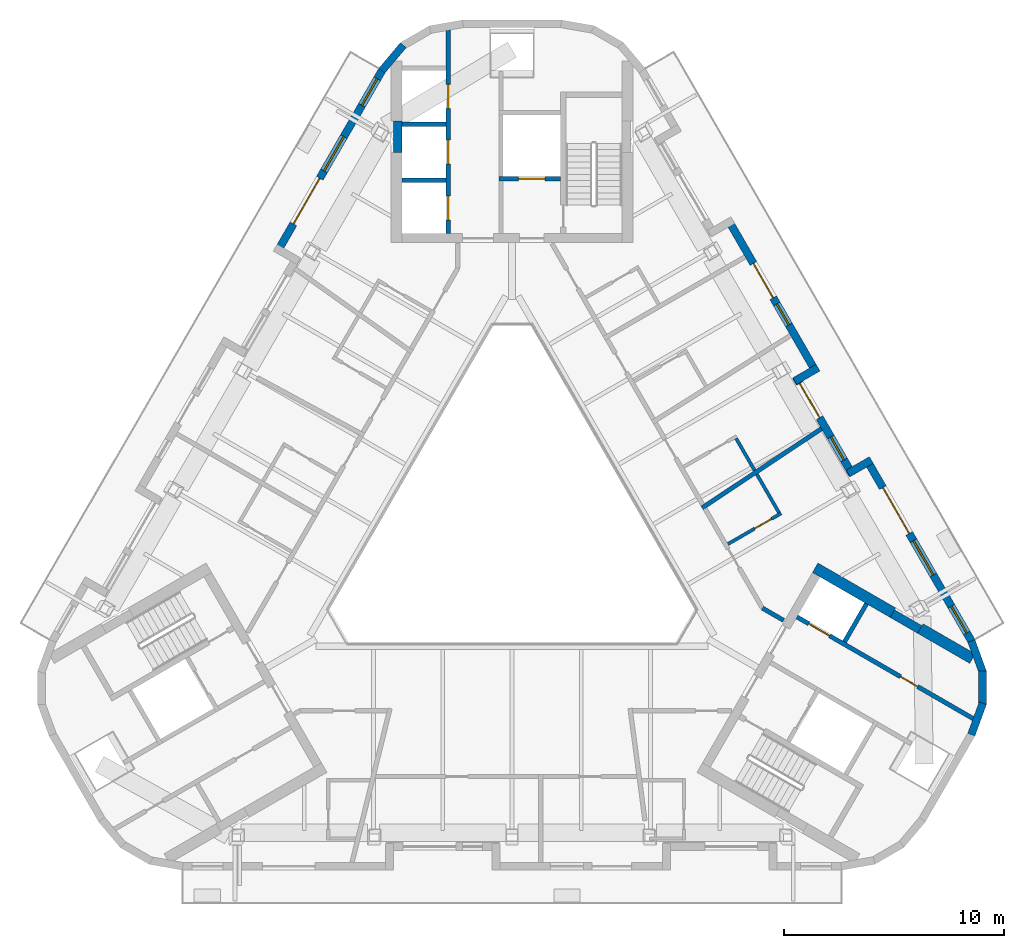
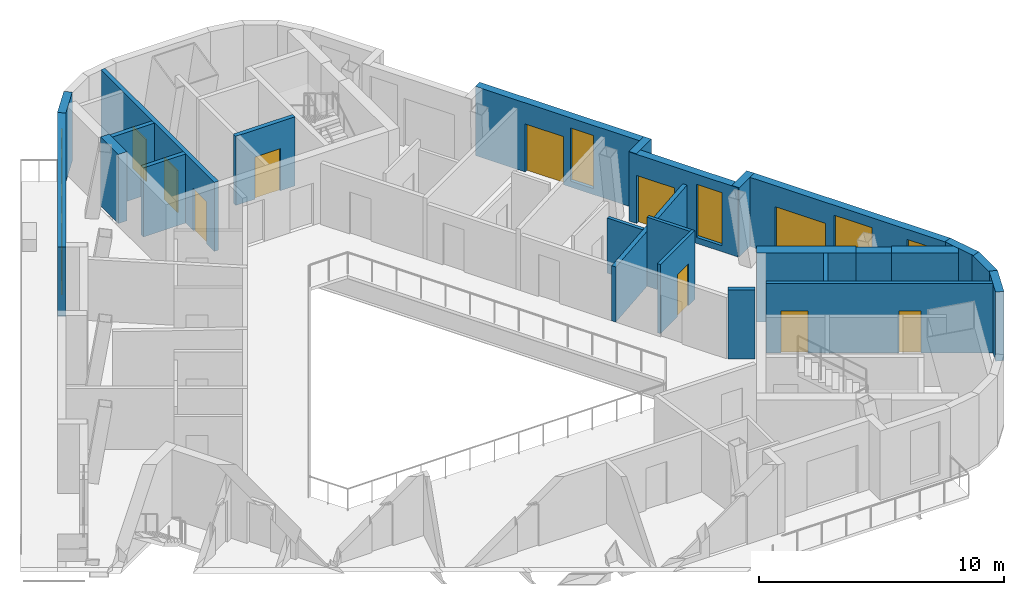
# One storey, part 6 of 11: 25 walls, 11 doors, 6 windows, 17 openings.
"""IFC4 building model written with IfcOpenShell, lengths in metres."""

from ifc_helpers import new_model, si_unit, direction, frame, frame_2d, origin, place, context, subcontext, project, spatial, rectangle, extrude, material, layer, layer_set, type_object, element, fill, save


model = new_model("IFC4")

# Units and contexts
model_context = context("Model", 3, precision=1e-05, world=origin(), true_north=direction((0.0, 1.0)))
body_context = subcontext(model_context, "Body", "Model", "MODEL_VIEW")
ifc_project = project(units=[si_unit("LENGTHUNIT", "METRE"), si_unit("AREAUNIT", "SQUARE_METRE"), si_unit("VOLUMEUNIT", "CUBIC_METRE"), si_unit("PLANEANGLEUNIT", "RADIAN"), si_unit("MASSUNIT", "GRAM", prefix="KILO")], contexts=[model_context])

# Site, building, storey
site_placement = place(None, origin())
site = spatial("IfcSite", under=ifc_project, at=site_placement, CompositionType="ELEMENT")
building_placement = place(site_placement, origin())
building = spatial("IfcBuilding", under=site, at=building_placement, Name="Apuvela Tower Hotel", CompositionType="ELEMENT")
storey_placement = place(building_placement, frame((0.0, 0.0, 328.10009765625)))
storey = spatial("IfcBuildingStorey", under=building, at=storey_placement, Name="L82", CompositionType="ELEMENT", Elevation=328.10009765625)

# Walls
ifc_material_1 = material(Name="Concrete C50/60", Category="concrete")
ifc_layer_1 = layer(ifc_material_1, 0.39990234375)
ifc_layer_set_1 = layer_set([ifc_layer_1], Name="COR-WALL-CORE-400")
wall_type_1 = type_object("IfcWallType", Name="COR-WALL-CORE-400", PredefinedType="SHEAR", material=ifc_layer_set_1)
for number, where, z_axis, x_axis, name in (
    (1, (-5.199951171875, 16.984619140625, 0.0), (0.0, 0.0, 1.0), (0.0, 1.0, 0.0), "Core wall N"),
    (2, (17.30908203125, -3.989013671875, 0.0), (0.0, 0.0, 1.0), (0.866092727722, -0.499883373386, 0.0), "Core wall SE"),
):
    element("IfcWall", number, at=place(storey_placement, frame(where, z_axis=z_axis, x_axis=x_axis)), inside=storey, type_object=wall_type_1, Name=name, PredefinedType="SHEAR", context=body_context, shape_type="SweptSolid", body=[
        extrude(rectangle(XDim=1.444580078125, YDim=0.39990234375, at=frame_2d((0.72216796875, 0.0))), origin(), (0.0, 0.0, 1.0), 3.449951171875),
    ])
ifc_layer_2 = layer(ifc_material_1, 0.5)
ifc_layer_set_2 = layer_set([ifc_layer_2], Name="COR-WALL-CORE-500")
wall_type_2 = type_object("IfcWallType", Name="COR-WALL-CORE-500", PredefinedType="SHEAR", material=ifc_layer_set_2)
wall_1_placement = place(storey_placement, frame((13.796630859375, -1.9033203125, 0.0), z_axis=(0.0, 0.0, 1.0), x_axis=(0.866020367552, -0.500008722908, 0.0)))
element("IfcWall", 3, at=wall_1_placement, inside=storey, type_object=wall_type_2, Name="Core wall SE", PredefinedType="SHEAR", context=body_context, shape_type="SweptSolid", body=[
    extrude(rectangle(XDim=4.0849609375, YDim=0.5, at=frame_2d((2.04248046875, 0.0))), origin(), (0.0, 0.0, 1.0), 3.449951171875),
])
wall_2_placement = place(storey_placement, frame((18.585205078125, -4.66796875, 0.0), z_axis=(0.0, 0.0, 1.0), x_axis=(0.866034122891, -0.49998489776, 0.0)))
element("IfcWall", 4, at=wall_2_placement, inside=storey, type_object=wall_type_2, Name="Core wall SE", PredefinedType="SHEAR", context=body_context, shape_type="SweptSolid", body=[
    extrude(rectangle(XDim=2.73779296875, YDim=0.5, at=frame_2d((1.368896484375, 0.0))), origin(), (0.0, 0.0, 1.0), 3.449951171875),
])

# Wall, opening, door
ifc_layer_3 = layer(ifc_material_1, 0.199951171875)
ifc_layer_set_3 = layer_set([ifc_layer_3], Name="COR-WALL-SHAFT-200")
wall_type_3 = type_object("IfcWallType", Name="COR-WALL-SHAFT-200", PredefinedType="SHEAR", material=ifc_layer_set_3)
wall_3_placement = place(storey_placement, frame((2.199951171875, 15.800048828125, 0.0), z_axis=(0.0, 0.0, 1.0), x_axis=(-1.0, 0.0, 0.0)))
wall_3 = element("IfcWall", 5, at=wall_3_placement, inside=storey, type_object=wall_type_3, Name="Shaft wall N", PredefinedType="SHEAR", context=body_context, shape_type="SweptSolid", body=[
    extrude(rectangle(XDim=2.800048828125, YDim=0.199951171875, at=frame_2d((1.39990234375, 0.0))), origin(), (0.0, 0.0, 1.0), 3.449951171875),
])
opening_1_placement = place(wall_3_placement, frame((0.699951171875, 0.0, 0.0)))
opening_1 = element("IfcOpeningElement", 6, at=opening_1_placement, cuts=wall_3, Name="Opening N-LD-FS1", PredefinedType="OPENING", context=body_context, shape_type="SweptSolid", body=[
    extrude(rectangle(XDim=1.199951171875, YDim=2.10009765625, at=frame_2d((0.60009765625, 1.050048828125))), frame((0.0, 0.10986328125, 0.0), z_axis=(0.0, -1.0, 0.0), x_axis=(1.0, 0.0, 0.0)), (0.0, 0.0, 1.0), 0.219970703125),
])
ifc_material_2 = material(Name="Stainless steel lift landing door", Category="steel")
door_type_1 = type_object("IfcDoorType", Name="COR-LD-1200", OperationType="DOUBLE_DOOR_SLIDING", PredefinedType="DOOR", material=ifc_material_2)
door_1_placement = place(opening_1_placement, origin())
door_1 = element("IfcDoor", 7, at=door_1_placement, inside=storey, type_object=door_type_1, Name="Lift landing door N-LD-FS1", OperationType="DOUBLE_DOOR_SLIDING", OverallHeight=2.10009765625, OverallWidth=1.199951171875, PredefinedType="DOOR", context=body_context, shape_type="SweptSolid", body=[
    extrude(rectangle(XDim=1.199951171875, YDim=2.10009765625, at=frame_2d((0.60009765625, 1.050048828125))), frame((0.0, 0.02490234375, 0.0), z_axis=(0.0, -1.0, 0.0), x_axis=(1.0, 0.0, 0.0)), (0.0, 0.0, 1.0), 0.050048828125),
])
fill(opening_1, door_1)

# Wall, openings, doors
wall_4_placement = place(storey_placement, frame((-2.89990234375, 13.300048828125, 0.0), z_axis=(0.0, 0.0, 1.0), x_axis=(0.0, 1.0, 0.0)))
wall_4 = element("IfcWall", 8, at=wall_4_placement, inside=storey, type_object=wall_type_3, Name="Shaft wall N", PredefinedType="SHEAR", context=body_context, shape_type="SweptSolid", body=[
    extrude(rectangle(XDim=9.272705078125, YDim=0.199951171875, at=frame_2d((4.63623046875, 0.0))), origin(), (0.0, 0.0, 1.0), 3.449951171875),
])
opening_2_placement = place(wall_4_placement, frame((0.6201171875, 0.0, 0.0)))
opening_2 = element("IfcOpeningElement", 9, at=opening_2_placement, cuts=wall_4, Name="Opening N-LD-HR1", PredefinedType="OPENING", context=body_context, shape_type="SweptSolid", body=[
    extrude(rectangle(XDim=1.10009765625, YDim=2.10009765625, at=frame_2d((0.550048828125, 1.050048828125))), frame((0.0, 0.10986328125, 0.0), z_axis=(0.0, -1.0, 0.0), x_axis=(1.0, 0.0, 0.0)), (0.0, 0.0, 1.0), 0.219970703125),
])
opening_3_placement = place(wall_4_placement, frame((3.159912109375, 0.0, 0.0)))
opening_3 = element("IfcOpeningElement", 10, at=opening_3_placement, cuts=wall_4, Name="Opening N-LD-HR2", PredefinedType="OPENING", context=body_context, shape_type="SweptSolid", body=[
    extrude(rectangle(XDim=1.10009765625, YDim=2.10009765625, at=frame_2d((0.550048828125, 1.050048828125))), frame((0.0, 0.10986328125, 0.0), z_axis=(0.0, -1.0, 0.0), x_axis=(1.0, 0.0, 0.0)), (0.0, 0.0, 1.0), 0.219970703125),
])
opening_4_placement = place(wall_4_placement, frame((5.699951171875, 0.0, 0.0)))
opening_4 = element("IfcOpeningElement", 11, at=opening_4_placement, cuts=wall_4, Name="Opening N-LD-HR4", PredefinedType="OPENING", context=body_context, shape_type="SweptSolid", body=[
    extrude(rectangle(XDim=1.10009765625, YDim=2.10009765625, at=frame_2d((0.550048828125, 1.050048828125))), frame((0.0, 0.10986328125, 0.0), z_axis=(0.0, -1.0, 0.0), x_axis=(1.0, 0.0, 0.0)), (0.0, 0.0, 1.0), 0.219970703125),
])
door_type_2 = type_object("IfcDoorType", Name="COR-LD-1100", OperationType="DOUBLE_DOOR_SLIDING", PredefinedType="DOOR", material=ifc_material_2)
door_2_placement = place(opening_2_placement, origin())
door_2 = element("IfcDoor", 12, at=door_2_placement, inside=storey, type_object=door_type_2, Name="Lift landing door N-LD-HR1", OperationType="DOUBLE_DOOR_SLIDING", OverallHeight=2.10009765625, OverallWidth=1.10009765625, PredefinedType="DOOR", context=body_context, shape_type="SweptSolid", body=[
    extrude(rectangle(XDim=1.10009765625, YDim=2.10009765625, at=frame_2d((0.550048828125, 1.050048828125))), frame((0.0, 0.02490234375, 0.0), z_axis=(0.0, -1.0, 0.0), x_axis=(1.0, 0.0, 0.0)), (0.0, 0.0, 1.0), 0.050048828125),
])
fill(opening_2, door_2)
door_3_placement = place(opening_3_placement, origin())
door_3 = element("IfcDoor", 13, at=door_3_placement, inside=storey, type_object=door_type_2, Name="Lift landing door N-LD-HR2", OperationType="DOUBLE_DOOR_SLIDING", OverallHeight=2.10009765625, OverallWidth=1.10009765625, PredefinedType="DOOR", context=body_context, shape_type="SweptSolid", body=[
    extrude(rectangle(XDim=1.10009765625, YDim=2.10009765625, at=frame_2d((0.550048828125, 1.050048828125))), frame((0.0, 0.02490234375, 0.0), z_axis=(0.0, -1.0, 0.0), x_axis=(1.0, 0.0, 0.0)), (0.0, 0.0, 1.0), 0.050048828125),
])
fill(opening_3, door_3)
door_4_placement = place(opening_4_placement, origin())
door_4 = element("IfcDoor", 14, at=door_4_placement, inside=storey, type_object=door_type_2, Name="Lift landing door N-LD-HR4", OperationType="DOUBLE_DOOR_SLIDING", OverallHeight=2.10009765625, OverallWidth=1.10009765625, PredefinedType="DOOR", context=body_context, shape_type="SweptSolid", body=[
    extrude(rectangle(XDim=1.10009765625, YDim=2.10009765625, at=frame_2d((0.550048828125, 1.050048828125))), frame((0.0, 0.02490234375, 0.0), z_axis=(0.0, -1.0, 0.0), x_axis=(1.0, 0.0, 0.0)), (0.0, 0.0, 1.0), 0.050048828125),
])
fill(opening_4, door_4)

# Walls
for number, where, z_axis, x_axis, name in (
    (15, (-3.0, 15.739990234375, 0.0), (0.0, 0.0, 1.0), (-1.0, 0.0, 0.0), "Shaft wall N"),
    (16, (-3.0, 18.280029296875, 0.0), (0.0, 0.0, 1.0), (-1.0, 0.0, 0.0), "Shaft wall N"),
):
    element("IfcWall", number, at=place(storey_placement, frame(where, z_axis=z_axis, x_axis=x_axis)), inside=storey, type_object=wall_type_3, Name=name, PredefinedType="SHEAR", context=body_context, shape_type="SweptSolid", body=[
        extrude(rectangle(XDim=2.0, YDim=0.199951171875, at=frame_2d((1.0, 0.0))), origin(), (0.0, 0.0, 1.0), 3.449951171875),
    ])

# Wall, openings, doors
wall_5_placement = place(storey_placement, frame((12.968017578125, -4.138427734375, 0.0), z_axis=(0.0, 0.0, 1.0), x_axis=(0.866022923061, -0.500004296715, 0.0)))
wall_5 = element("IfcWall", 17, at=wall_5_placement, inside=storey, type_object=wall_type_3, Name="Shaft wall SE", PredefinedType="SHEAR", context=body_context, shape_type="SweptSolid", body=[
    extrude(rectangle(XDim=9.27294921875, YDim=0.199951171875, at=frame_2d((4.636474609375, 0.0))), origin(), (0.0, 0.0, 1.0), 3.449951171875),
])
opening_5_placement = place(wall_5_placement, frame((0.6201171875, 0.0, 0.0)))
opening_5 = element("IfcOpeningElement", 18, at=opening_5_placement, cuts=wall_5, Name="Opening E-LD-HR3", PredefinedType="OPENING", context=body_context, shape_type="SweptSolid", body=[
    extrude(rectangle(XDim=1.10009765625, YDim=2.10009765625, at=frame_2d((0.550048828125, 1.050048828125))), frame((0.0, 0.10986328125, 0.0), z_axis=(0.0, -1.0, 0.0), x_axis=(1.0, 0.0, 0.0)), (0.0, 0.0, 1.0), 0.219970703125),
])
opening_6_placement = place(wall_5_placement, frame((5.438720703125, 0.0, 0.0)))
opening_6 = element("IfcOpeningElement", 19, at=opening_6_placement, cuts=wall_5, Name="Opening E-RE2", PredefinedType="OPENING", context=body_context, shape_type="SweptSolid", body=[
    extrude(rectangle(XDim=0.89990234375, YDim=2.10009765625, at=frame_2d((0.449951171875, 1.050048828125))), frame((0.0, 0.10986328125, 0.0), z_axis=(0.0, -1.0, 0.0), x_axis=(1.0, 0.0, 0.0)), (0.0, 0.0, 1.0), 0.219970703125),
])
ifc_material_3 = material(Name="Steel fire door, powder coated", Category="steel")
door_type_3 = type_object("IfcDoorType", Name="COR-DR-900", OperationType="NOTDEFINED", PredefinedType="DOOR", material=ifc_material_3)
door_5_placement = place(opening_6_placement, origin())
door_5 = element("IfcDoor", 20, at=door_5_placement, inside=storey, type_object=door_type_3, Name="Store door E-RE2", OperationType="SINGLE_SWING_LEFT", OverallHeight=2.10009765625, OverallWidth=0.89990234375, PredefinedType="DOOR", context=body_context, shape_type="SweptSolid", body=[
    extrude(rectangle(XDim=0.89990234375, YDim=2.10009765625, at=frame_2d((0.449951171875, 1.050048828125))), frame((0.0, 0.02490234375, 0.0), z_axis=(0.0, -1.0, 0.0), x_axis=(1.0, 0.0, 0.0)), (0.0, 0.0, 1.0), 0.050048828125),
])
fill(opening_6, door_5)
door_6_placement = place(opening_5_placement, origin())
door_6 = element("IfcDoor", 21, at=door_6_placement, inside=storey, type_object=door_type_2, Name="Lift landing door E-LD-HR3", OperationType="DOUBLE_DOOR_SLIDING", OverallHeight=2.10009765625, OverallWidth=1.10009765625, PredefinedType="DOOR", context=body_context, shape_type="SweptSolid", body=[
    extrude(rectangle(XDim=1.10009765625, YDim=2.10009765625, at=frame_2d((0.550048828125, 1.050048828125))), frame((0.0, 0.02490234375, 0.0), z_axis=(0.0, -1.0, 0.0), x_axis=(1.0, 0.0, 0.0)), (0.0, 0.0, 1.0), 0.050048828125),
])
fill(opening_5, door_6)

# Wall
wall_6_placement = place(storey_placement, frame((15.131103515625, -5.27197265625, 0.0), z_axis=(0.0, 0.0, 1.0), x_axis=(0.499972520799, 0.866041268327, 0.0)))
element("IfcWall", 22, at=wall_6_placement, inside=storey, type_object=wall_type_3, Name="Shaft wall SE", PredefinedType="SHEAR", context=body_context, shape_type="SweptSolid", body=[
    extrude(rectangle(XDim=2.0, YDim=0.199951171875, at=frame_2d((1.0, 0.0))), origin(), (0.0, 0.0, 1.0), 3.449951171875),
])

# Wall, openings, door, windows
ifc_material_4 = material(Name="Concrete C40/50, dark pigmented precast panel", Category="concrete")
ifc_layer_4 = layer(ifc_material_4, 0.35009765625)
ifc_layer_set_4 = layer_set([ifc_layer_4], Name="ENV-WALL-350")
wall_type_4 = type_object("IfcWallType", Name="ENV-WALL-350", PredefinedType="SOLIDWALL", material=ifc_layer_set_4)
wall_7_placement = place(storey_placement, frame((-5.9052734375, 20.742431640625, 0.0), z_axis=(0.0, 0.0, 1.0), x_axis=(-0.500003254449, -0.866023524819, 0.0)))
wall_7 = element("IfcWall", 23, at=wall_7_placement, inside=storey, type_object=wall_type_4, Name="External wall L82-01", PredefinedType="SOLIDWALL", context=body_context, shape_type="SweptSolid", body=[
    extrude(rectangle(XDim=9.6083984375, YDim=0.35009765625, at=frame_2d((4.80419921875, 0.0))), origin(), (0.0, 0.0, 1.0), 3.449951171875),
])
opening_7_placement = place(wall_7_placement, frame((0.449951171875, 0.0, 0.300048828125)))
opening_7 = element("IfcOpeningElement", 24, at=opening_7_placement, cuts=wall_7, Name="Opening WN14", PredefinedType="OPENING", context=body_context, shape_type="SweptSolid", body=[
    extrude(rectangle(XDim=1.39990234375, YDim=2.64990234375, at=frame_2d((0.699951171875, 1.324951171875))), frame((0.0, 0.18505859375, 0.0), z_axis=(0.0, -1.0, 0.0), x_axis=(1.0, 0.0, 0.0)), (0.0, 0.0, 1.0), 0.3701171875),
])
opening_8_placement = place(wall_7_placement, frame((5.6796875, 0.0, 0.0)))
opening_8 = element("IfcOpeningElement", 25, at=opening_8_placement, cuts=wall_7, Name="Opening BD24", PredefinedType="OPENING", context=body_context, shape_type="SweptSolid", body=[
    extrude(rectangle(XDim=2.39990234375, YDim=2.39990234375, at=frame_2d((1.199951171875, 1.199951171875))), frame((0.0, 0.18505859375, 0.0), z_axis=(0.0, -1.0, 0.0), x_axis=(1.0, 0.0, 0.0)), (0.0, 0.0, 1.0), 0.3701171875),
])
opening_9_placement = place(wall_7_placement, frame((3.492431640625, 0.0, 0.300048828125)))
opening_9 = element("IfcOpeningElement", 26, at=opening_9_placement, cuts=wall_7, Name="Opening WN18", PredefinedType="OPENING", context=body_context, shape_type="SweptSolid", body=[
    extrude(rectangle(XDim=1.800048828125, YDim=2.64990234375, at=frame_2d((0.89990234375, 1.324951171875))), frame((0.0, 0.18505859375, 0.0), z_axis=(0.0, -1.0, 0.0), x_axis=(1.0, 0.0, 0.0)), (0.0, 0.0, 1.0), 0.3701171875),
])
ifc_material_5 = material(Name="Aluminium 6063-T6, dark bronze anodised frame with dark tinted laminated glass", Category="aluminium")
door_type_4 = type_object("IfcDoorType", Name="ENV-DOOR-BALCONY-2400x2400", OperationType="SLIDING_TO_LEFT", PredefinedType="DOOR", material=ifc_material_5)
door_7_placement = place(opening_8_placement, frame((2.39990234375, 0.0, 0.0), z_axis=(0.0, 0.0, 1.0), x_axis=(-1.0, 0.0, 0.0)))
door_7 = element("IfcDoor", 27, at=door_7_placement, inside=storey, type_object=door_type_4, Name="Balcony door BD24", OperationType="SLIDING_TO_LEFT", OverallHeight=2.39990234375, OverallWidth=2.39990234375, PredefinedType="DOOR", context=body_context, shape_type="SweptSolid", body=[
    extrude(rectangle(XDim=2.39990234375, YDim=2.39990234375, at=frame_2d((1.199951171875, 1.199951171875))), frame((0.0, 0.02490234375, 0.0), z_axis=(0.0, -1.0, 0.0), x_axis=(1.0, 0.0, 0.0)), (0.0, 0.0, 1.0), 0.050048828125),
])
fill(opening_8, door_7)
ifc_material_6 = material(Name="Glass, dark tinted laminated insulated glazing unit", Category="glass")
window_type_1 = type_object("IfcWindowType", Name="ENV-WIN-1400x2650", PartitioningType="SINGLE_PANEL", PredefinedType="WINDOW", material=ifc_material_6)
window_1_placement = place(opening_7_placement, origin())
window_1 = element("IfcWindow", 28, at=window_1_placement, inside=storey, type_object=window_type_1, Name="Window WN14", OverallHeight=2.64990234375, OverallWidth=1.39990234375, PartitioningType="SINGLE_PANEL", PredefinedType="WINDOW", context=body_context, shape_type="SweptSolid", body=[
    extrude(rectangle(XDim=1.39990234375, YDim=2.64990234375, at=frame_2d((0.699951171875, 1.324951171875))), frame((0.0, 0.030029296875, 0.0), z_axis=(0.0, -1.0, 0.0), x_axis=(1.0, 0.0, 0.0)), (0.0, 0.0, 1.0), 0.06005859375),
])
fill(opening_7, window_1)
window_type_2 = type_object("IfcWindowType", Name="ENV-WIN-1800x2650", PartitioningType="SINGLE_PANEL", PredefinedType="WINDOW", material=ifc_material_6)
window_2_placement = place(opening_9_placement, origin())
window_2 = element("IfcWindow", 29, at=window_2_placement, inside=storey, type_object=window_type_2, Name="Window WN18", OverallHeight=2.64990234375, OverallWidth=1.800048828125, PartitioningType="SINGLE_PANEL", PredefinedType="WINDOW", context=body_context, shape_type="SweptSolid", body=[
    extrude(rectangle(XDim=1.800048828125, YDim=2.64990234375, at=frame_2d((0.89990234375, 1.324951171875))), frame((0.0, 0.030029296875, 0.0), z_axis=(0.0, -1.0, 0.0), x_axis=(1.0, 0.0, 0.0)), (0.0, 0.0, 1.0), 0.06005859375),
])
fill(opening_9, window_2)

# Walls
for number, where, z_axis, x_axis, name in (
    (30, (20.9033203125, -9.49755859375, 0.0), (0.0, 0.0, 1.0), (0.342013156287, 0.939695163831, 0.0), "External wall L82-30"),
    (31, (21.413818359375, -8.12548828125, 0.0), (0.0, 0.0, 1.0), (0.0, 1.0, 0.0), "External wall L82-31"),
    (32, (21.424560546875, -6.66162109375, 0.0), (0.0, 0.0, 1.0), (-0.342013156287, 0.939695163831, 0.0), "External wall L82-32"),
):
    element("IfcWall", number, at=place(storey_placement, frame(where, z_axis=z_axis, x_axis=x_axis)), inside=storey, type_object=wall_type_4, Name=name, PredefinedType="SOLIDWALL", context=body_context, shape_type="SweptSolid", body=[
        extrude(rectangle(XDim=1.52392578125, YDim=0.35009765625, at=frame_2d((0.761962890625, 0.0))), origin(), (0.0, 0.0, 1.0), 3.449951171875),
    ])

# Wall, openings, door, windows
wall_8_placement = place(storey_placement, frame((20.916259765625, -5.257080078125, 0.0), z_axis=(0.0, 0.0, 1.0), x_axis=(-0.500022310942, 0.866012522173, 0.0)))
wall_8 = element("IfcWall", 33, at=wall_8_placement, inside=storey, type_object=wall_type_4, Name="External wall L82-33", PredefinedType="SOLIDWALL", context=body_context, shape_type="SweptSolid", body=[
    extrude(rectangle(XDim=9.6083984375, YDim=0.35009765625, at=frame_2d((4.80419921875, 0.0))), origin(), (0.0, 0.0, 1.0), 3.449951171875),
])
opening_10_placement = place(wall_8_placement, frame((0.449951171875, 0.0, 0.300048828125)))
opening_10 = element("IfcOpeningElement", 34, at=opening_10_placement, cuts=wall_8, Name="Opening WN14", PredefinedType="OPENING", context=body_context, shape_type="SweptSolid", body=[
    extrude(rectangle(XDim=1.39990234375, YDim=2.64990234375, at=frame_2d((0.699951171875, 1.324951171875))), frame((0.0, 0.18505859375, 0.0), z_axis=(0.0, -1.0, 0.0), x_axis=(1.0, 0.0, 0.0)), (0.0, 0.0, 1.0), 0.3701171875),
])
opening_11_placement = place(wall_8_placement, frame((5.679931640625, 0.0, 0.0)))
opening_11 = element("IfcOpeningElement", 35, at=opening_11_placement, cuts=wall_8, Name="Opening BD24", PredefinedType="OPENING", context=body_context, shape_type="SweptSolid", body=[
    extrude(rectangle(XDim=2.39990234375, YDim=2.39990234375, at=frame_2d((1.199951171875, 1.199951171875))), frame((0.0, 0.18505859375, 0.0), z_axis=(0.0, -1.0, 0.0), x_axis=(1.0, 0.0, 0.0)), (0.0, 0.0, 1.0), 0.3701171875),
])
opening_12_placement = place(wall_8_placement, frame((3.492431640625, 0.0, 0.300048828125)))
opening_12 = element("IfcOpeningElement", 36, at=opening_12_placement, cuts=wall_8, Name="Opening WN18", PredefinedType="OPENING", context=body_context, shape_type="SweptSolid", body=[
    extrude(rectangle(XDim=1.800048828125, YDim=2.64990234375, at=frame_2d((0.89990234375, 1.324951171875))), frame((0.0, 0.18505859375, 0.0), z_axis=(0.0, -1.0, 0.0), x_axis=(1.0, 0.0, 0.0)), (0.0, 0.0, 1.0), 0.3701171875),
])
door_8_placement = place(opening_11_placement, frame((2.39990234375, 0.0, 0.0), z_axis=(0.0, 0.0, 1.0), x_axis=(-1.0, 0.0, 0.0)))
door_8 = element("IfcDoor", 37, at=door_8_placement, inside=storey, type_object=door_type_4, Name="Balcony door BD24", OperationType="SLIDING_TO_LEFT", OverallHeight=2.39990234375, OverallWidth=2.39990234375, PredefinedType="DOOR", context=body_context, shape_type="SweptSolid", body=[
    extrude(rectangle(XDim=2.39990234375, YDim=2.39990234375, at=frame_2d((1.199951171875, 1.199951171875))), frame((0.0, 0.02490234375, 0.0), z_axis=(0.0, -1.0, 0.0), x_axis=(1.0, 0.0, 0.0)), (0.0, 0.0, 1.0), 0.050048828125),
])
fill(opening_11, door_8)
window_3_placement = place(opening_10_placement, origin())
window_3 = element("IfcWindow", 38, at=window_3_placement, inside=storey, type_object=window_type_1, Name="Window WN14", OverallHeight=2.64990234375, OverallWidth=1.39990234375, PartitioningType="SINGLE_PANEL", PredefinedType="WINDOW", context=body_context, shape_type="SweptSolid", body=[
    extrude(rectangle(XDim=1.39990234375, YDim=2.64990234375, at=frame_2d((0.699951171875, 1.324951171875))), frame((0.0, 0.030029296875, 0.0), z_axis=(0.0, -1.0, 0.0), x_axis=(1.0, 0.0, 0.0)), (0.0, 0.0, 1.0), 0.06005859375),
])
fill(opening_10, window_3)
window_4_placement = place(opening_12_placement, origin())
window_4 = element("IfcWindow", 39, at=window_4_placement, inside=storey, type_object=window_type_2, Name="Window WN18", OverallHeight=2.64990234375, OverallWidth=1.800048828125, PartitioningType="SINGLE_PANEL", PredefinedType="WINDOW", context=body_context, shape_type="SweptSolid", body=[
    extrude(rectangle(XDim=1.800048828125, YDim=2.64990234375, at=frame_2d((0.89990234375, 1.324951171875))), frame((0.0, 0.030029296875, 0.0), z_axis=(0.0, -1.0, 0.0), x_axis=(1.0, 0.0, 0.0)), (0.0, 0.0, 1.0), 0.06005859375),
])
fill(opening_12, window_4)

# Wall
wall_9_placement = place(storey_placement, frame((16.35107421875, 3.0, 0.0), z_axis=(0.0, 0.0, 1.0), x_axis=(-0.866005645448, -0.500034220881, 0.0)))
element("IfcWall", 40, at=wall_9_placement, inside=storey, type_object=wall_type_4, Name="External wall L82-34", PredefinedType="SOLIDWALL", context=body_context, shape_type="SweptSolid", body=[
    extrude(rectangle(XDim=1.22021484375, YDim=0.35009765625, at=frame_2d((0.610107421875, 0.0))), origin(), (0.0, 0.0, 1.0), 3.449951171875),
])

# Wall, openings, door, window
wall_10_placement = place(storey_placement, frame((15.492431640625, 2.3369140625, 0.0), z_axis=(0.0, 0.0, 1.0), x_axis=(-0.499999159329, 0.866025889145, 0.0)))
wall_10 = element("IfcWall", 41, at=wall_10_placement, inside=storey, type_object=wall_type_4, Name="External wall L82-35", PredefinedType="SOLIDWALL", context=body_context, shape_type="SweptSolid", body=[
    extrude(rectangle(XDim=5.142578125, YDim=0.35009765625, at=frame_2d((2.5712890625, 0.0))), origin(), (0.0, 0.0, 1.0), 3.449951171875),
])
opening_13_placement = place(wall_10_placement, frame((0.77001953125, 0.0, 0.300048828125)))
opening_13 = element("IfcOpeningElement", 42, at=opening_13_placement, cuts=wall_10, Name="Opening WN12", PredefinedType="OPENING", context=body_context, shape_type="SweptSolid", body=[
    extrude(rectangle(XDim=1.199951171875, YDim=2.64990234375, at=frame_2d((0.60009765625, 1.324951171875))), frame((0.0, 0.18505859375, 0.0), z_axis=(0.0, -1.0, 0.0), x_axis=(1.0, 0.0, 0.0)), (0.0, 0.0, 1.0), 0.3701171875),
])
opening_14_placement = place(wall_10_placement, frame((2.993408203125, 0.0, 0.0)))
opening_14 = element("IfcOpeningElement", 43, at=opening_14_placement, cuts=wall_10, Name="Opening BD18", PredefinedType="OPENING", context=body_context, shape_type="SweptSolid", body=[
    extrude(rectangle(XDim=1.800048828125, YDim=2.39990234375, at=frame_2d((0.89990234375, 1.199951171875))), frame((0.0, 0.18505859375, 0.0), z_axis=(0.0, -1.0, 0.0), x_axis=(1.0, 0.0, 0.0)), (0.0, 0.0, 1.0), 0.3701171875),
])
door_type_5 = type_object("IfcDoorType", Name="ENV-DOOR-BALCONY-1800x2400", OperationType="SLIDING_TO_LEFT", PredefinedType="DOOR", material=ifc_material_5)
door_9_placement = place(opening_14_placement, frame((1.800048828125, 0.0, 0.0), z_axis=(0.0, 0.0, 1.0), x_axis=(-1.0, 0.0, 0.0)))
door_9 = element("IfcDoor", 44, at=door_9_placement, inside=storey, type_object=door_type_5, Name="Balcony door BD18", OperationType="SLIDING_TO_LEFT", OverallHeight=2.39990234375, OverallWidth=1.800048828125, PredefinedType="DOOR", context=body_context, shape_type="SweptSolid", body=[
    extrude(rectangle(XDim=1.800048828125, YDim=2.39990234375, at=frame_2d((0.89990234375, 1.199951171875))), frame((0.0, 0.02490234375, 0.0), z_axis=(0.0, -1.0, 0.0), x_axis=(1.0, 0.0, 0.0)), (0.0, 0.0, 1.0), 0.050048828125),
])
fill(opening_14, door_9)
window_type_3 = type_object("IfcWindowType", Name="ENV-WIN-1200x2650", PartitioningType="SINGLE_PANEL", PredefinedType="WINDOW", material=ifc_material_6)
window_5_placement = place(opening_13_placement, origin())
window_5 = element("IfcWindow", 45, at=window_5_placement, inside=storey, type_object=window_type_3, Name="Window WN12", OverallHeight=2.64990234375, OverallWidth=1.199951171875, PartitioningType="SINGLE_PANEL", PredefinedType="WINDOW", context=body_context, shape_type="SweptSolid", body=[
    extrude(rectangle(XDim=1.199951171875, YDim=2.64990234375, at=frame_2d((0.60009765625, 1.324951171875))), frame((0.0, 0.030029296875, 0.0), z_axis=(0.0, -1.0, 0.0), x_axis=(1.0, 0.0, 0.0)), (0.0, 0.0, 1.0), 0.06005859375),
])
fill(opening_13, window_5)

# Wall
wall_11_placement = place(storey_placement, frame((12.8681640625, 6.59228515625, 0.0), z_axis=(0.0, 0.0, 1.0), x_axis=(0.866005645448, 0.500034220881, 0.0)))
element("IfcWall", 46, at=wall_11_placement, inside=storey, type_object=wall_type_4, Name="External wall L82-36", PredefinedType="SOLIDWALL", context=body_context, shape_type="SweptSolid", body=[
    extrude(rectangle(XDim=1.22021484375, YDim=0.35009765625, at=frame_2d((0.610107421875, 0.0))), origin(), (0.0, 0.0, 1.0), 3.449951171875),
])

# Wall, openings, door, window
wall_12_placement = place(storey_placement, frame((13.860595703125, 6.96337890625, 0.0), z_axis=(0.0, 0.0, 1.0), x_axis=(-0.499985896038, 0.866033546558, 0.0)))
wall_12 = element("IfcWall", 47, at=wall_12_placement, inside=storey, type_object=wall_type_4, Name="External wall L82-37", PredefinedType="SOLIDWALL", context=body_context, shape_type="SweptSolid", body=[
    extrude(rectangle(XDim=8.102294921875, YDim=0.35009765625, at=frame_2d((4.05126953125, 0.0))), origin(), (0.0, 0.0, 1.0), 3.449951171875),
])
opening_15_placement = place(wall_12_placement, frame((3.94970703125, 0.0, 0.0)))
opening_15 = element("IfcOpeningElement", 48, at=opening_15_placement, cuts=wall_12, Name="Opening BD18", PredefinedType="OPENING", context=body_context, shape_type="SweptSolid", body=[
    extrude(rectangle(XDim=1.800048828125, YDim=2.39990234375, at=frame_2d((0.89990234375, 1.199951171875))), frame((0.0, 0.18505859375, 0.0), z_axis=(0.0, -1.0, 0.0), x_axis=(1.0, 0.0, 0.0)), (0.0, 0.0, 1.0), 0.3701171875),
])
opening_16_placement = place(wall_12_placement, frame((2.51953125, 0.0, 0.300048828125)))
opening_16 = element("IfcOpeningElement", 49, at=opening_16_placement, cuts=wall_12, Name="Opening WN11", PredefinedType="OPENING", context=body_context, shape_type="SweptSolid", body=[
    extrude(rectangle(XDim=1.10009765625, YDim=2.64990234375, at=frame_2d((0.550048828125, 1.324951171875))), frame((0.0, 0.18505859375, 0.0), z_axis=(0.0, -1.0, 0.0), x_axis=(1.0, 0.0, 0.0)), (0.0, 0.0, 1.0), 0.3701171875),
])
door_10_placement = place(opening_15_placement, frame((1.800048828125, 0.0, 0.0), z_axis=(0.0, 0.0, 1.0), x_axis=(-1.0, 0.0, 0.0)))
door_10 = element("IfcDoor", 50, at=door_10_placement, inside=storey, type_object=door_type_5, Name="Balcony door BD18", OperationType="SLIDING_TO_LEFT", OverallHeight=2.39990234375, OverallWidth=1.800048828125, PredefinedType="DOOR", context=body_context, shape_type="SweptSolid", body=[
    extrude(rectangle(XDim=1.800048828125, YDim=2.39990234375, at=frame_2d((0.89990234375, 1.199951171875))), frame((0.0, 0.02490234375, 0.0), z_axis=(0.0, -1.0, 0.0), x_axis=(1.0, 0.0, 0.0)), (0.0, 0.0, 1.0), 0.050048828125),
])
fill(opening_15, door_10)
window_type_4 = type_object("IfcWindowType", Name="ENV-WIN-1100x2650", PartitioningType="SINGLE_PANEL", PredefinedType="WINDOW", material=ifc_material_6)
window_6_placement = place(opening_16_placement, origin())
window_6 = element("IfcWindow", 51, at=window_6_placement, inside=storey, type_object=window_type_4, Name="Window WN11", OverallHeight=2.64990234375, OverallWidth=1.10009765625, PartitioningType="SINGLE_PANEL", PredefinedType="WINDOW", context=body_context, shape_type="SweptSolid", body=[
    extrude(rectangle(XDim=1.10009765625, YDim=2.64990234375, at=frame_2d((0.550048828125, 1.324951171875))), frame((0.0, 0.030029296875, 0.0), z_axis=(0.0, -1.0, 0.0), x_axis=(1.0, 0.0, 0.0)), (0.0, 0.0, 1.0), 0.06005859375),
])
fill(opening_16, window_6)

# Walls
wall_13_placement = place(storey_placement, frame((-4.943359375, 21.884765625, 0.0), z_axis=(0.0, 0.0, 1.0), x_axis=(-0.642812493629, -0.766023562323, 0.0)))
element("IfcWall", 52, at=wall_13_placement, inside=storey, type_object=wall_type_4, Name="External wall L82-48", PredefinedType="SOLIDWALL", context=body_context, shape_type="SweptSolid", body=[
    extrude(rectangle(XDim=1.523681640625, YDim=0.35009765625, at=frame_2d((0.76171875, 0.0))), origin(), (0.0, 0.0, 1.0), 3.449951171875),
])
ifc_material_7 = material(Name="Gypsum board partition on twin steel stud", Category="steel")
ifc_layer_5 = layer(ifc_material_7, 0.199951171875)
ifc_layer_set_5 = layer_set([ifc_layer_5], Name="GST-PW1")
wall_type_5 = type_object("IfcWallType", Name="GST-PW1", PredefinedType="PARTITIONING", material=ifc_layer_set_5)
wall_14_placement = place(storey_placement, frame((14.08349609375, 4.427490234375, 0.0), z_axis=(0.0, 0.0, 1.0), x_axis=(-0.833314888817, -0.55279860354, 0.0)))
element("IfcWall", 53, at=wall_14_placement, inside=storey, type_object=wall_type_5, Name="L82 partition 04", PredefinedType="PARTITIONING", context=body_context, shape_type="SweptSolid", body=[
    extrude(rectangle(XDim=6.523193359375, YDim=0.199951171875, at=frame_2d((3.26171875, 0.0))), origin(), (0.0, 0.0, 1.0), 2.75),
])
ifc_material_8 = material(Name="Gypsum board corridor wall on twin steel stud, acoustic", Category="steel")
ifc_layer_6 = layer(ifc_material_8, 0.199951171875)
ifc_layer_set_6 = layer_set([ifc_layer_6], Name="GST-PW2")
wall_type_6 = type_object("IfcWallType", Name="GST-PW2", PredefinedType="PARTITIONING", material=ifc_layer_set_6)
wall_15_placement = place(storey_placement, frame((11.396484375, -3.7392578125, 0.0), z_axis=(0.0, 0.0, 1.0), x_axis=(0.866002566612, -0.500039553057, 0.0)))
element("IfcWall", 54, at=wall_15_placement, inside=storey, type_object=wall_type_6, Name="L82 partition 22", PredefinedType="PARTITIONING", context=body_context, shape_type="SweptSolid", body=[
    extrude(rectangle(XDim=1.11083984375, YDim=0.199951171875, at=frame_2d((0.555419921875, 0.0))), origin(), (0.0, 0.0, 1.0), 3.449951171875),
])

# Wall, opening, door
ifc_material_9 = material(Name="Moisture-resistant gypsum board wet wall on steel stud", Category="steel")
ifc_layer_7 = layer(ifc_material_9, 0.14990234375)
ifc_layer_set_7 = layer_set([ifc_layer_7], Name="GST-PW3")
wall_type_7 = type_object("IfcWallType", Name="GST-PW3", PredefinedType="PARTITIONING", material=ifc_layer_set_7)
wall_16_placement = place(storey_placement, frame((9.827392578125, -0.821533203125, 0.0), z_axis=(0.0, 0.0, 1.0), x_axis=(0.866034573852, 0.49998411664, 0.0)))
wall_16 = element("IfcWall", 55, at=wall_16_placement, inside=storey, type_object=wall_type_7, Name="L82 partition 23", PredefinedType="PARTITIONING", context=body_context, shape_type="SweptSolid", body=[
    extrude(rectangle(XDim=2.7998046875, YDim=0.14990234375, at=frame_2d((1.39990234375, 0.0))), origin(), (0.0, 0.0, 1.0), 3.449951171875),
])
opening_17_placement = place(wall_16_placement, frame((1.39990234375, 0.0, 0.0)))
opening_17 = element("IfcOpeningElement", 56, at=opening_17_placement, cuts=wall_16, Name="Opening GD36-07", PredefinedType="OPENING", context=body_context, shape_type="SweptSolid", body=[
    extrude(rectangle(XDim=0.89990234375, YDim=2.10009765625, at=frame_2d((0.449951171875, 1.050048828125))), frame((0.0, 0.0849609375, 0.0), z_axis=(0.0, -1.0, 0.0), x_axis=(1.0, 0.0, 0.0)), (0.0, 0.0, 1.0), 0.169921875),
])
ifc_material_10 = material(Name="Timber door leaf in steel frame", Category="steel")
door_type_6 = type_object("IfcDoorType", Name="GST-D2", OperationType="NOTDEFINED", PredefinedType="DOOR", material=ifc_material_10)
door_11_placement = place(opening_17_placement, origin())
door_11 = element("IfcDoor", 57, at=door_11_placement, inside=storey, type_object=door_type_6, Name="Door L82-07", OperationType="SINGLE_SWING_RIGHT", OverallHeight=2.10009765625, OverallWidth=0.89990234375, PredefinedType="DOOR", context=body_context, shape_type="SweptSolid", body=[
    extrude(rectangle(XDim=0.89990234375, YDim=2.10009765625, at=frame_2d((0.449951171875, 1.050048828125))), frame((0.0, 0.02490234375, 0.0), z_axis=(0.0, -1.0, 0.0), x_axis=(1.0, 0.0, 0.0)), (0.0, 0.0, 1.0), 0.050048828125),
])
fill(opening_17, door_11)

# Walls
wall_17_placement = place(storey_placement, frame((12.14990234375, 0.60595703125, 0.0), z_axis=(0.0, 0.0, 1.0), x_axis=(-0.500078207394, 0.865980246016, 0.0)))
element("IfcWall", 58, at=wall_17_placement, inside=storey, type_object=wall_type_7, Name="L82 partition 24", PredefinedType="PARTITIONING", context=body_context, shape_type="SweptSolid", body=[
    extrude(rectangle(XDim=2.019775390625, YDim=0.14990234375, at=frame_2d((1.009765625, 0.0))), origin(), (0.0, 0.0, 1.0), 3.449951171875),
])
wall_18_placement = place(storey_placement, frame((11.039794921875, 2.528564453125, 0.0), z_axis=(0.0, 0.0, 1.0), x_axis=(-0.499999171277, 0.866025882247, 0.0)))
element("IfcWall", 59, at=wall_18_placement, inside=storey, type_object=wall_type_7, Name="L82 partition 27", PredefinedType="PARTITIONING", context=body_context, shape_type="SweptSolid", body=[
    extrude(rectangle(XDim=1.68017578125, YDim=0.14990234375, at=frame_2d((0.840087890625, 0.0))), origin(), (0.0, 0.0, 1.0), 2.75),
])

save(model, "model.ifc")
